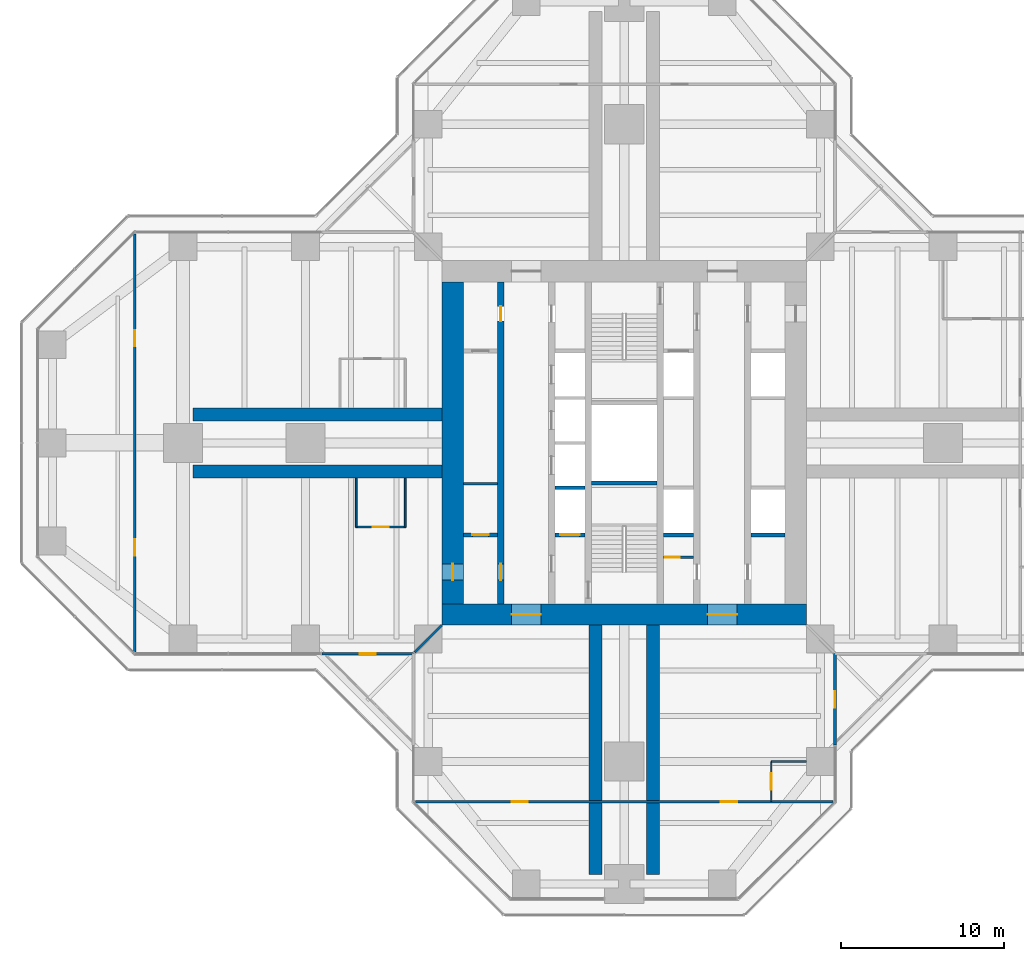
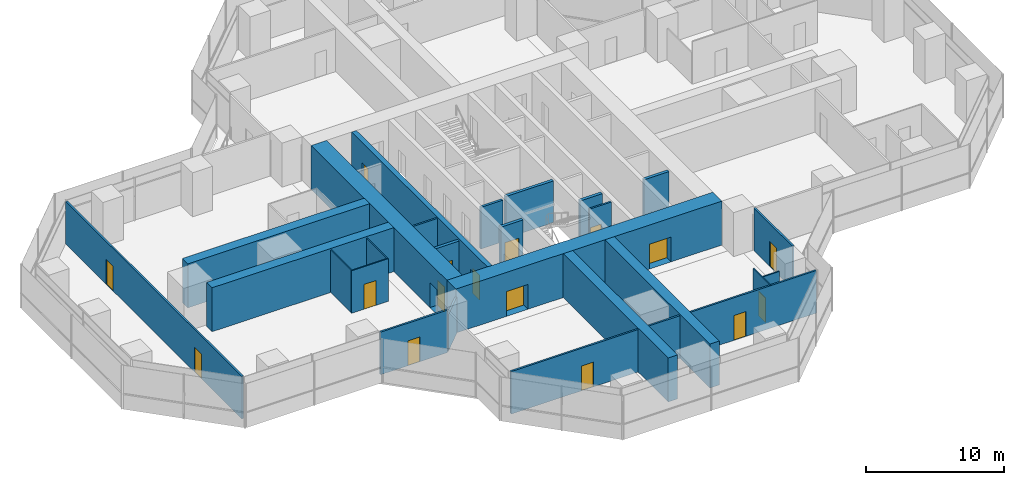
# One storey, part 15 of 19: 25 walls, 16 doors, 16 openings.
"""IFC4 building model written with IfcOpenShell, lengths in metres."""

from ifc_helpers import new_model, si_unit, direction, frame, frame_2d, origin, place, context, subcontext, project, spatial, rectangle, extrude, material, layer, layer_set, type_object, element, fill, save


model = new_model("IFC4")

# Units and contexts
model_context = context("Model", 3, precision=1e-05, world=origin(), true_north=direction((0.0, 1.0)))
body_context = subcontext(model_context, "Body", "Model", "MODEL_VIEW")
ifc_project = project(units=[si_unit("LENGTHUNIT", "METRE"), si_unit("AREAUNIT", "SQUARE_METRE"), si_unit("VOLUMEUNIT", "CUBIC_METRE"), si_unit("PLANEANGLEUNIT", "RADIAN"), si_unit("MASSUNIT", "GRAM", prefix="KILO")], contexts=[model_context])

# Site, building, storey
site_placement = place(None, origin())
site = spatial("IfcSite", under=ifc_project, at=site_placement, CompositionType="ELEMENT")
building_placement = place(site_placement, origin())
building = spatial("IfcBuilding", under=site, at=building_placement, Name="Mizan Broadcast Tower", CompositionType="ELEMENT")
storey_placement = place(building_placement, frame((0.0, 0.0, 132.0)))
storey = spatial("IfcBuildingStorey", under=building, at=storey_placement, Name="L29", CompositionType="ELEMENT", Elevation=132.0)

# Wall, openings, doors
ifc_material_1 = material(Name="Concrete C70/85", Category="concrete")
ifc_layer_1 = layer(ifc_material_1, 0.39990234375)
ifc_layer_set_1 = layer_set([ifc_layer_1], Name="Concrete C70/85")
wall_type_1 = type_object("IfcWallType", Name="CORE INTERNAL WALL 400", PredefinedType="SHEAR", material=ifc_layer_set_1)
wall_1_placement = place(storey_placement, frame((-7.550048828125, -9.85009765625, 0.0), z_axis=(0.0, 0.0, 1.0), x_axis=(0.0, 1.0, 0.0)))
wall_1 = element("IfcWall", 1, at=wall_1_placement, inside=storey, type_object=wall_type_1, Name="Core wall CORE/XW1", PredefinedType="SHEAR", context=body_context, shape_type="SweptSolid", body=[
    extrude(rectangle(XDim=19.7001953125, YDim=0.39990234375, at=frame_2d((9.85009765625, 0.0))), origin(), (0.0, 0.0, 1.0), 3.89990234375),
])
opening_1_placement = place(wall_1_placement, frame((1.449951171875, 0.0, 0.0)))
opening_1 = element("IfcOpeningElement", 2, at=opening_1_placement, cuts=wall_1, Name="Opening D10F", PredefinedType="OPENING", context=body_context, shape_type="SweptSolid", body=[
    extrude(rectangle(XDim=1.0, YDim=2.199951171875, at=frame_2d((0.5, 1.10009765625))), frame((0.0, 0.2099609375, 0.0), z_axis=(0.0, -1.0, 0.0), x_axis=(1.0, 0.0, 0.0)), (0.0, 0.0, 1.0), 0.419921875),
])
opening_2_placement = place(wall_1_placement, frame((17.300048828125, 0.0, 0.0)))
opening_2 = element("IfcOpeningElement", 3, at=opening_2_placement, cuts=wall_1, Name="Opening D09", PredefinedType="OPENING", context=body_context, shape_type="SweptSolid", body=[
    extrude(rectangle(XDim=0.89990234375, YDim=2.10009765625, at=frame_2d((0.449951171875, 1.050048828125))), frame((0.0, 0.2099609375, 0.0), z_axis=(0.0, -1.0, 0.0), x_axis=(1.0, 0.0, 0.0)), (0.0, 0.0, 1.0), 0.419921875),
])
ifc_material_2 = material(Name="Steel door leaf in steel frame", Category="steel")
door_type_1 = type_object("IfcDoorType", Name="FIRE DOOR 1000 FD90", OperationType="SINGLE_SWING_LEFT", PredefinedType="DOOR", material=ifc_material_2)
door_1_placement = place(opening_1_placement, origin())
door_1 = element("IfcDoor", 4, at=door_1_placement, inside=storey, type_object=door_type_1, Name="West core passage door", OperationType="SINGLE_SWING_LEFT", OverallHeight=2.199951171875, OverallWidth=1.0, PredefinedType="DOOR", context=body_context, shape_type="SweptSolid", body=[
    extrude(rectangle(XDim=1.0, YDim=2.199951171875, at=frame_2d((0.5, 1.10009765625))), frame((0.0, 0.02490234375, 0.0), z_axis=(0.0, -1.0, 0.0), x_axis=(1.0, 0.0, 0.0)), (0.0, 0.0, 1.0), 0.050048828125),
])
fill(opening_1, door_1)
ifc_material_3 = material(Name="Timber door leaf in aluminium frame", Category="wood")
door_type_2 = type_object("IfcDoorType", Name="TOILET DOOR 900", OperationType="SINGLE_SWING_LEFT", PredefinedType="DOOR", material=ifc_material_3)
door_2_placement = place(opening_2_placement, origin())
door_2 = element("IfcDoor", 5, at=door_2_placement, inside=storey, type_object=door_type_2, Name="Male WC door", OperationType="SINGLE_SWING_RIGHT", OverallHeight=2.10009765625, OverallWidth=0.89990234375, PredefinedType="DOOR", context=body_context, shape_type="SweptSolid", body=[
    extrude(rectangle(XDim=0.89990234375, YDim=2.10009765625, at=frame_2d((0.449951171875, 1.050048828125))), frame((0.0, 0.02490234375, 0.0), z_axis=(0.0, -1.0, 0.0), x_axis=(1.0, 0.0, 0.0)), (0.0, 0.0, 1.0), 0.050048828125),
])
fill(opening_2, door_2)

# Wall
ifc_material_4 = material(Name="Concrete blockwork", Category="masonry")
ifc_layer_2 = layer(ifc_material_4, 0.14990234375)
ifc_layer_set_2 = layer_set([ifc_layer_2], Name="Concrete blockwork")
wall_type_2 = type_object("IfcWallType", Name="CORE PARTITION 150", PredefinedType="SOLIDWALL", material=ifc_layer_set_2)
wall_2_placement = place(storey_placement, frame((-9.85009765625, -2.5, 0.0), z_axis=(0.0, 0.0, 1.0), x_axis=(1.0, 0.0, 0.0)))
element("IfcWall", 6, at=wall_2_placement, inside=storey, type_object=wall_type_2, Name="Core partition CORE/XP1", PredefinedType="SOLIDWALL", context=body_context, shape_type="SweptSolid", body=[
    extrude(rectangle(XDim=2.10009765625, YDim=0.14990234375, at=frame_2d((1.050048828125, 0.0))), origin(), (0.0, 0.0, 1.0), 3.77001953125),
])

# Wall, opening, door
wall_3_placement = place(storey_placement, frame((2.39990234375, -7.0, 0.0), z_axis=(0.0, 0.0, 1.0), x_axis=(1.0, 0.0, 0.0)))
wall_3 = element("IfcWall", 7, at=wall_3_placement, inside=storey, type_object=wall_type_2, Name="Core partition CORE/XPC", PredefinedType="SOLIDWALL", context=body_context, shape_type="SweptSolid", body=[
    extrude(rectangle(XDim=1.85009765625, YDim=0.14990234375, at=frame_2d((0.925048828125, 0.0))), origin(), (0.0, 0.0, 1.0), 3.77001953125),
])
opening_3_placement = place(wall_3_placement, frame((0.10009765625, 0.0, 0.0)))
opening_3 = element("IfcOpeningElement", 8, at=opening_3_placement, cuts=wall_3, Name="Opening D09F", PredefinedType="OPENING", context=body_context, shape_type="SweptSolid", body=[
    extrude(rectangle(XDim=0.89990234375, YDim=2.10009765625, at=frame_2d((0.449951171875, 1.050048828125))), frame((0.0, 0.0849609375, 0.0), z_axis=(0.0, -1.0, 0.0), x_axis=(1.0, 0.0, 0.0)), (0.0, 0.0, 1.0), 0.169921875),
])
ifc_material_5 = material(Name="Steel door leaf in steel frame", Category="steel")
door_type_3 = type_object("IfcDoorType", Name="CORE ROOM DOOR 900 FD90", OperationType="SINGLE_SWING_LEFT", PredefinedType="DOOR", material=ifc_material_5)
door_3_placement = place(opening_3_placement, origin())
door_3 = element("IfcDoor", 9, at=door_3_placement, inside=storey, type_object=door_type_3, Name="Waste store door", OperationType="SINGLE_SWING_LEFT", OverallHeight=2.10009765625, OverallWidth=0.89990234375, PredefinedType="DOOR", context=body_context, shape_type="SweptSolid", body=[
    extrude(rectangle(XDim=0.89990234375, YDim=2.10009765625, at=frame_2d((0.449951171875, 1.050048828125))), frame((0.0, 0.02490234375, 0.0), z_axis=(0.0, -1.0, 0.0), x_axis=(1.0, 0.0, 0.0)), (0.0, 0.0, 1.0), 0.050048828125),
])
fill(opening_3, door_3)

# Wall, openings, doors
ifc_material_6 = material(Name="Concrete C70/85", Category="concrete")
ifc_layer_3 = layer(ifc_material_6, 1.300048828125)
ifc_layer_set_3 = layer_set([ifc_layer_3], Name="Concrete C70/85")
wall_type_3 = type_object("IfcWallType", Name="CORE WALL 1300", PredefinedType="SHEAR", material=ifc_layer_set_3)
wall_4_placement = place(storey_placement, frame((11.14990234375, -10.5, 0.0), z_axis=(0.0, 0.0, 1.0), x_axis=(-1.0, 0.0, 0.0)))
wall_4 = element("IfcWall", 10, at=wall_4_placement, inside=storey, type_object=wall_type_3, Name="Core wall S L29", PredefinedType="SHEAR", context=body_context, shape_type="SweptSolid", body=[
    extrude(rectangle(XDim=22.2998046875, YDim=1.300048828125, at=frame_2d((11.14990234375, 0.0))), origin(), (0.0, 0.0, 1.0), 3.89990234375),
])
opening_4_placement = place(wall_4_placement, frame((16.25, 0.0, 0.0)))
opening_4 = element("IfcOpeningElement", 11, at=opening_4_placement, cuts=wall_4, Name="Opening D18F", PredefinedType="OPENING", context=body_context, shape_type="SweptSolid", body=[
    extrude(rectangle(XDim=1.800048828125, YDim=2.199951171875, at=frame_2d((0.89990234375, 1.10009765625))), frame((0.0, 0.659912109375, 0.0), z_axis=(0.0, -1.0, 0.0), x_axis=(1.0, 0.0, 0.0)), (0.0, 0.0, 1.0), 1.320068359375),
])
opening_5_placement = place(wall_4_placement, frame((4.25, 0.0, 0.0)))
opening_5 = element("IfcOpeningElement", 12, at=opening_5_placement, cuts=wall_4, Name="Opening D18F", PredefinedType="OPENING", context=body_context, shape_type="SweptSolid", body=[
    extrude(rectangle(XDim=1.800048828125, YDim=2.199951171875, at=frame_2d((0.89990234375, 1.10009765625))), frame((0.0, 0.659912109375, 0.0), z_axis=(0.0, -1.0, 0.0), x_axis=(1.0, 0.0, 0.0)), (0.0, 0.0, 1.0), 1.320068359375),
])
ifc_material_7 = material(Name="Steel door leaf in steel frame", Category="steel")
door_type_4 = type_object("IfcDoorType", Name="LOBBY DOUBLE DOOR 1800 FD90", OperationType="DOUBLE_DOOR_DOUBLE_SWING", PredefinedType="DOOR", material=ifc_material_7)
door_4_placement = place(opening_4_placement, origin())
door_4 = element("IfcDoor", 13, at=door_4_placement, inside=storey, type_object=door_type_4, Name="West lift lobby south door", OperationType="DOUBLE_DOOR_DOUBLE_SWING", OverallHeight=2.199951171875, OverallWidth=1.800048828125, PredefinedType="DOOR", context=body_context, shape_type="SweptSolid", body=[
    extrude(rectangle(XDim=1.800048828125, YDim=2.199951171875, at=frame_2d((0.89990234375, 1.10009765625))), frame((0.0, 0.02490234375, 0.0), z_axis=(0.0, -1.0, 0.0), x_axis=(1.0, 0.0, 0.0)), (0.0, 0.0, 1.0), 0.050048828125),
])
fill(opening_4, door_4)
door_5_placement = place(opening_5_placement, origin())
door_5 = element("IfcDoor", 14, at=door_5_placement, inside=storey, type_object=door_type_4, Name="East lift lobby south door", OperationType="DOUBLE_DOOR_DOUBLE_SWING", OverallHeight=2.199951171875, OverallWidth=1.800048828125, PredefinedType="DOOR", context=body_context, shape_type="SweptSolid", body=[
    extrude(rectangle(XDim=1.800048828125, YDim=2.199951171875, at=frame_2d((0.89990234375, 1.10009765625))), frame((0.0, 0.02490234375, 0.0), z_axis=(0.0, -1.0, 0.0), x_axis=(1.0, 0.0, 0.0)), (0.0, 0.0, 1.0), 0.050048828125),
])
fill(opening_5, door_5)

# Wall, opening, door
wall_5_placement = place(storey_placement, frame((-10.5, 9.85009765625, 0.0), z_axis=(0.0, 0.0, 1.0), x_axis=(0.0, -1.0, 0.0)))
wall_5 = element("IfcWall", 15, at=wall_5_placement, inside=storey, type_object=wall_type_3, Name="Core wall W L29", PredefinedType="SHEAR", context=body_context, shape_type="SweptSolid", body=[
    extrude(rectangle(XDim=19.7001953125, YDim=1.300048828125, at=frame_2d((9.85009765625, 0.0))), origin(), (0.0, 0.0, 1.0), 3.89990234375),
])
opening_6_placement = place(wall_5_placement, frame((17.25, 0.0, 0.0)))
opening_6 = element("IfcOpeningElement", 16, at=opening_6_placement, cuts=wall_5, Name="Opening D10F", PredefinedType="OPENING", context=body_context, shape_type="SweptSolid", body=[
    extrude(rectangle(XDim=1.0, YDim=2.199951171875, at=frame_2d((0.5, 1.10009765625))), frame((0.0, 0.659912109375, 0.0), z_axis=(0.0, -1.0, 0.0), x_axis=(1.0, 0.0, 0.0)), (0.0, 0.0, 1.0), 1.320068359375),
])
door_6_placement = place(opening_6_placement, origin())
door_6 = element("IfcDoor", 17, at=door_6_placement, inside=storey, type_object=door_type_1, Name="West core passage arm door", OperationType="SINGLE_SWING_RIGHT", OverallHeight=2.199951171875, OverallWidth=1.0, PredefinedType="DOOR", context=body_context, shape_type="SweptSolid", body=[
    extrude(rectangle(XDim=1.0, YDim=2.199951171875, at=frame_2d((0.5, 1.10009765625))), frame((0.0, 0.02490234375, 0.0), z_axis=(0.0, -1.0, 0.0), x_axis=(1.0, 0.0, 0.0)), (0.0, 0.0, 1.0), 0.050048828125),
])
fill(opening_6, door_6)

ifc_material_8 = material(Name="Aluminium framed glazed screen", Category="aluminium")
ifc_layer_4 = layer(ifc_material_8, 0.159912109375)
ifc_layer_set_4 = layer_set([ifc_layer_4], Name="Aluminium framed glazed screen")
wall_type_4 = type_object("IfcWallType", Name="GLAZED SCREEN WALL 160", PredefinedType="SOLIDWALL", material=ifc_layer_set_4)
wall_6_placement = place(storey_placement, frame((-18.5, -12.89990234375, 0.0), z_axis=(0.0, 0.0, 1.0), x_axis=(1.0, 0.0, 0.0)))
wall_6 = element("IfcWall", 18, at=wall_6_placement, inside=storey, type_object=wall_type_4, Name="Winter garden screen L29 W", PredefinedType="SOLIDWALL", context=body_context, shape_type="SweptSolid", body=[
    extrude(rectangle(XDim=5.60009765625, YDim=0.159912109375, at=frame_2d((2.800048828125, 0.0))), origin(), (0.0, 0.0, 1.0), 3.77001953125),
])
opening_7_placement = place(wall_6_placement, frame((2.300048828125, 0.0, 0.0)))
opening_7 = element("IfcOpeningElement", 19, at=opening_7_placement, cuts=wall_6, Name="Opening WGD", PredefinedType="OPENING", context=body_context, shape_type="SweptSolid", body=[
    extrude(rectangle(XDim=1.0, YDim=2.199951171875, at=frame_2d((0.5, 1.10009765625))), frame((0.0, 0.08984375, 0.0), z_axis=(0.0, -1.0, 0.0), x_axis=(1.0, 0.0, 0.0)), (0.0, 0.0, 1.0), 0.179931640625),
])
ifc_material_9 = material(Name="Aluminium framed glazed door", Category="aluminium")
door_type_5 = type_object("IfcDoorType", Name="WINTER GARDEN DOOR 1000 GLAZED", OperationType="SINGLE_SWING_LEFT", PredefinedType="DOOR", material=ifc_material_9)
door_7_placement = place(opening_7_placement, origin())
door_7 = element("IfcDoor", 20, at=door_7_placement, inside=storey, type_object=door_type_5, Name="Winter garden door L29 W", OperationType="SINGLE_SWING_RIGHT", OverallHeight=2.199951171875, OverallWidth=1.0, PredefinedType="DOOR", context=body_context, shape_type="SweptSolid", body=[
    extrude(rectangle(XDim=1.0, YDim=2.199951171875, at=frame_2d((0.5, 1.10009765625))), frame((0.0, 0.02490234375, 0.0), z_axis=(0.0, -1.0, 0.0), x_axis=(1.0, 0.0, 0.0)), (0.0, 0.0, 1.0), 0.050048828125),
])
fill(opening_7, door_7)

wall_7_placement = place(storey_placement, frame((12.89990234375, -18.5, 0.0), z_axis=(0.0, 0.0, 1.0), x_axis=(0.0, 1.0, 0.0)))
wall_7 = element("IfcWall", 21, at=wall_7_placement, inside=storey, type_object=wall_type_4, Name="Winter garden screen L29 S", PredefinedType="SOLIDWALL", context=body_context, shape_type="SweptSolid", body=[
    extrude(rectangle(XDim=5.60009765625, YDim=0.159912109375, at=frame_2d((2.800048828125, 0.0))), origin(), (0.0, 0.0, 1.0), 3.77001953125),
])
opening_8_placement = place(wall_7_placement, frame((2.300048828125, 0.0, 0.0)))
opening_8 = element("IfcOpeningElement", 22, at=opening_8_placement, cuts=wall_7, Name="Opening WGD", PredefinedType="OPENING", context=body_context, shape_type="SweptSolid", body=[
    extrude(rectangle(XDim=1.0, YDim=2.199951171875, at=frame_2d((0.5, 1.10009765625))), frame((0.0, 0.08984375, 0.0), z_axis=(0.0, -1.0, 0.0), x_axis=(1.0, 0.0, 0.0)), (0.0, 0.0, 1.0), 0.179931640625),
])
door_8_placement = place(opening_8_placement, origin())
door_8 = element("IfcDoor", 23, at=door_8_placement, inside=storey, type_object=door_type_5, Name="Winter garden door L29 S", OperationType="SINGLE_SWING_RIGHT", OverallHeight=2.199951171875, OverallWidth=1.0, PredefinedType="DOOR", context=body_context, shape_type="SweptSolid", body=[
    extrude(rectangle(XDim=1.0, YDim=2.199951171875, at=frame_2d((0.5, 1.10009765625))), frame((0.0, 0.02490234375, 0.0), z_axis=(0.0, -1.0, 0.0), x_axis=(1.0, 0.0, 0.0)), (0.0, 0.0, 1.0), 0.050048828125),
])
fill(opening_8, door_8)

# Wall
ifc_material_10 = material(Name="Concrete blockwork", Category="masonry")
ifc_layer_5 = layer(ifc_material_10, 0.199951171875)
ifc_layer_set_5 = layer_set([ifc_layer_5], Name="Concrete blockwork")
wall_type_5 = type_object("IfcWallType", Name="LIFT SHAFT WALL 200", PredefinedType="SOLIDWALL", material=ifc_layer_set_5)
wall_8_placement = place(storey_placement, frame((-4.25, -2.75, 0.0), z_axis=(0.0, 0.0, 1.0), x_axis=(1.0, 0.0, 0.0)))
element("IfcWall", 24, at=wall_8_placement, inside=storey, type_object=wall_type_5, Name="Lift shaft wall CORE/SW2-1", PredefinedType="SOLIDWALL", context=body_context, shape_type="SweptSolid", body=[
    extrude(rectangle(XDim=1.85009765625, YDim=0.199951171875, at=frame_2d((0.925048828125, 0.0))), origin(), (0.0, 0.0, 1.0), 3.699951171875),
])

# Wall, opening, door
ifc_material_11 = material(Name="Concrete blockwork", Category="masonry")
ifc_layer_6 = layer(ifc_material_11, 0.25)
ifc_layer_set_6 = layer_set([ifc_layer_6], Name="Concrete blockwork")
wall_type_6 = type_object("IfcWallType", Name="LOBBY ENCLOSURE WALL 250", PredefinedType="SOLIDWALL", material=ifc_layer_set_6)
wall_9_placement = place(storey_placement, frame((-9.85009765625, -5.625, 0.0), z_axis=(0.0, 0.0, 1.0), x_axis=(1.0, 0.0, 0.0)))
wall_9 = element("IfcWall", 25, at=wall_9_placement, inside=storey, type_object=wall_type_6, Name="Lobby enclosure wall CORE/BW1S", PredefinedType="SOLIDWALL", context=body_context, shape_type="SweptSolid", body=[
    extrude(rectangle(XDim=2.10009765625, YDim=0.25, at=frame_2d((1.050048828125, 0.0))), origin(), (0.0, 0.0, 1.0), 3.699951171875),
])
opening_9_placement = place(wall_9_placement, frame((0.550048828125, 0.0, 0.0)))
opening_9 = element("IfcOpeningElement", 26, at=opening_9_placement, cuts=wall_9, Name="Opening D10F", PredefinedType="OPENING", context=body_context, shape_type="SweptSolid", body=[
    extrude(rectangle(XDim=1.0, YDim=2.199951171875, at=frame_2d((0.5, 1.10009765625))), frame((0.0, 0.135009765625, 0.0), z_axis=(0.0, -1.0, 0.0), x_axis=(1.0, 0.0, 0.0)), (0.0, 0.0, 1.0), 0.27001953125),
])
door_9_placement = place(opening_9_placement, origin())
door_9 = element("IfcDoor", 27, at=door_9_placement, inside=storey, type_object=door_type_1, Name="IT room door", OperationType="SINGLE_SWING_RIGHT", OverallHeight=2.199951171875, OverallWidth=1.0, PredefinedType="DOOR", context=body_context, shape_type="SweptSolid", body=[
    extrude(rectangle(XDim=1.0, YDim=2.199951171875, at=frame_2d((0.5, 1.10009765625))), frame((0.0, 0.02490234375, 0.0), z_axis=(0.0, -1.0, 0.0), x_axis=(1.0, 0.0, 0.0)), (0.0, 0.0, 1.0), 0.050048828125),
])
fill(opening_9, door_9)

wall_10_placement = place(storey_placement, frame((-4.25, -5.625, 0.0), z_axis=(0.0, 0.0, 1.0), x_axis=(1.0, 0.0, 0.0)))
wall_10 = element("IfcWall", 28, at=wall_10_placement, inside=storey, type_object=wall_type_6, Name="Lobby enclosure wall CORE/BW2S", PredefinedType="SOLIDWALL", context=body_context, shape_type="SweptSolid", body=[
    extrude(rectangle(XDim=1.85009765625, YDim=0.25, at=frame_2d((0.925048828125, 0.0))), origin(), (0.0, 0.0, 1.0), 3.699951171875),
])
opening_10_placement = place(wall_10_placement, frame((0.324951171875, 0.0, 0.0)))
opening_10 = element("IfcOpeningElement", 29, at=opening_10_placement, cuts=wall_10, Name="Opening LDF", PredefinedType="OPENING", context=body_context, shape_type="SweptSolid", body=[
    extrude(rectangle(XDim=1.199951171875, YDim=2.199951171875, at=frame_2d((0.60009765625, 1.10009765625))), frame((0.0, 0.135009765625, 0.0), z_axis=(0.0, -1.0, 0.0), x_axis=(1.0, 0.0, 0.0)), (0.0, 0.0, 1.0), 0.27001953125),
])
ifc_material_12 = material(Name="Steel door leaf in steel frame", Category="steel")
door_type_6 = type_object("IfcDoorType", Name="FIREFIGHTING LIFT LANDING DOOR 1200", OperationType="SLIDING_TO_LEFT", PredefinedType="DOOR", material=ifc_material_12)
door_10_placement = place(opening_10_placement, origin())
door_10 = element("IfcDoor", 30, at=door_10_placement, inside=storey, type_object=door_type_6, Name="Landing door FF1", OperationType="SLIDING_TO_LEFT", OverallHeight=2.199951171875, OverallWidth=1.199951171875, PredefinedType="DOOR", context=body_context, shape_type="SweptSolid", body=[
    extrude(rectangle(XDim=1.199951171875, YDim=2.199951171875, at=frame_2d((0.60009765625, 1.10009765625))), frame((0.0, 0.02490234375, 0.0), z_axis=(0.0, -1.0, 0.0), x_axis=(1.0, 0.0, 0.0)), (0.0, 0.0, 1.0), 0.050048828125),
])
fill(opening_10, door_10)

# Walls
wall_11_placement = place(storey_placement, frame((2.39990234375, -5.625, 0.0), z_axis=(0.0, 0.0, 1.0), x_axis=(1.0, 0.0, 0.0)))
element("IfcWall", 31, at=wall_11_placement, inside=storey, type_object=wall_type_6, Name="Lobby enclosure wall CORE/BE2S", PredefinedType="SOLIDWALL", context=body_context, shape_type="SweptSolid", body=[
    extrude(rectangle(XDim=1.85009765625, YDim=0.25, at=frame_2d((0.925048828125, 0.0))), origin(), (0.0, 0.0, 1.0), 3.699951171875),
])
wall_12_placement = place(storey_placement, frame((7.75, -5.625, 0.0), z_axis=(0.0, 0.0, 1.0), x_axis=(1.0, 0.0, 0.0)))
element("IfcWall", 32, at=wall_12_placement, inside=storey, type_object=wall_type_6, Name="Lobby enclosure wall CORE/BE1S", PredefinedType="SOLIDWALL", context=body_context, shape_type="SweptSolid", body=[
    extrude(rectangle(XDim=2.10009765625, YDim=0.25, at=frame_2d((1.050048828125, 0.0))), origin(), (0.0, 0.0, 1.0), 3.699951171875),
])
wall_13_placement = place(storey_placement, frame((-2.0, -2.449951171875, 0.0), z_axis=(0.0, 0.0, 1.0), x_axis=(1.0, 0.0, 0.0)))
element("IfcWall", 33, at=wall_13_placement, inside=storey, type_object=wall_type_6, Name="Lobby enclosure wall CORE/STA", PredefinedType="SOLIDWALL", context=body_context, shape_type="SweptSolid", body=[
    extrude(rectangle(XDim=4.0, YDim=0.25, at=frame_2d((2.0, 0.0))), origin(), (0.0, 0.0, 1.0), 3.699951171875),
])

# Wall, openings, doors
ifc_material_13 = material(Name="Gypsum board on steel studs", Category="steel")
ifc_layer_7 = layer(ifc_material_13, 0.14990234375)
ifc_layer_set_7 = layer_set([ifc_layer_7], Name="Gypsum board on steel studs")
wall_type_7 = type_object("IfcWallType", Name="PARTITION 150", PredefinedType="PARTITIONING", material=ifc_layer_set_7)
wall_14_placement = place(storey_placement, frame((-29.958984375, 12.786376953125, 0.0), z_axis=(0.0, 0.0, 1.0), x_axis=(0.0, -1.0, 0.0)))
wall_14 = element("IfcWall", 34, at=wall_14_placement, inside=storey, type_object=wall_type_7, Name="Partition PT/WX1", PredefinedType="PARTITIONING", context=body_context, shape_type="SweptSolid", body=[
    extrude(rectangle(XDim=25.57275390625, YDim=0.14990234375, at=frame_2d((12.786376953125, 0.0))), origin(), (0.0, 0.0, 1.0), 3.77001953125),
])
opening_11_placement = place(wall_14_placement, frame((18.6865234375, 0.0, 0.0)))
opening_11 = element("IfcOpeningElement", 35, at=opening_11_placement, cuts=wall_14, Name="Opening D10", PredefinedType="OPENING", context=body_context, shape_type="SweptSolid", body=[
    extrude(rectangle(XDim=1.0, YDim=2.199951171875, at=frame_2d((0.5, 1.10009765625))), frame((0.0, 0.0849609375, 0.0), z_axis=(0.0, -1.0, 0.0), x_axis=(1.0, 0.0, 0.0)), (0.0, 0.0, 1.0), 0.169921875),
])
opening_12_placement = place(wall_14_placement, frame((5.886474609375, 0.0, 0.0)))
opening_12 = element("IfcOpeningElement", 36, at=opening_12_placement, cuts=wall_14, Name="Opening D10", PredefinedType="OPENING", context=body_context, shape_type="SweptSolid", body=[
    extrude(rectangle(XDim=1.0, YDim=2.199951171875, at=frame_2d((0.5, 1.10009765625))), frame((0.0, 0.0849609375, 0.0), z_axis=(0.0, -1.0, 0.0), x_axis=(1.0, 0.0, 0.0)), (0.0, 0.0, 1.0), 0.169921875),
])
ifc_material_14 = material(Name="Timber door leaf in aluminium frame", Category="wood")
door_type_7 = type_object("IfcDoorType", Name="ROOM DOOR 1000", OperationType="SINGLE_SWING_LEFT", PredefinedType="DOOR", material=ifc_material_14)
door_11_placement = place(opening_11_placement, origin())
door_11 = element("IfcDoor", 37, at=door_11_placement, inside=storey, type_object=door_type_7, Name="Meeting room door", OperationType="SINGLE_SWING_RIGHT", OverallHeight=2.199951171875, OverallWidth=1.0, PredefinedType="DOOR", context=body_context, shape_type="SweptSolid", body=[
    extrude(rectangle(XDim=1.0, YDim=2.199951171875, at=frame_2d((0.5, 1.10009765625))), frame((0.0, 0.02490234375, 0.0), z_axis=(0.0, -1.0, 0.0), x_axis=(1.0, 0.0, 0.0)), (0.0, 0.0, 1.0), 0.050048828125),
])
fill(opening_11, door_11)
door_12_placement = place(opening_12_placement, origin())
door_12 = element("IfcDoor", 38, at=door_12_placement, inside=storey, type_object=door_type_7, Name="Meeting room door", OperationType="SINGLE_SWING_LEFT", OverallHeight=2.199951171875, OverallWidth=1.0, PredefinedType="DOOR", context=body_context, shape_type="SweptSolid", body=[
    extrude(rectangle(XDim=1.0, YDim=2.199951171875, at=frame_2d((0.5, 1.10009765625))), frame((0.0, 0.02490234375, 0.0), z_axis=(0.0, -1.0, 0.0), x_axis=(1.0, 0.0, 0.0)), (0.0, 0.0, 1.0), 0.050048828125),
])
fill(opening_12, door_12)

wall_15_placement = place(storey_placement, frame((-12.786376953125, -21.958984375, 0.0), z_axis=(0.0, 0.0, 1.0), x_axis=(1.0, 0.0, 0.0)))
wall_15 = element("IfcWall", 39, at=wall_15_placement, inside=storey, type_object=wall_type_7, Name="Partition PT/SX1", PredefinedType="PARTITIONING", context=body_context, shape_type="SweptSolid", body=[
    extrude(rectangle(XDim=25.57275390625, YDim=0.14990234375, at=frame_2d((12.786376953125, 0.0))), origin(), (0.0, 0.0, 1.0), 3.77001953125),
])
opening_13_placement = place(wall_15_placement, frame((18.6865234375, 0.0, 0.0)))
opening_13 = element("IfcOpeningElement", 40, at=opening_13_placement, cuts=wall_15, Name="Opening D10", PredefinedType="OPENING", context=body_context, shape_type="SweptSolid", body=[
    extrude(rectangle(XDim=1.0, YDim=2.199951171875, at=frame_2d((0.5, 1.10009765625))), frame((0.0, 0.0849609375, 0.0), z_axis=(0.0, -1.0, 0.0), x_axis=(1.0, 0.0, 0.0)), (0.0, 0.0, 1.0), 0.169921875),
])
opening_14_placement = place(wall_15_placement, frame((5.886474609375, 0.0, 0.0)))
opening_14 = element("IfcOpeningElement", 41, at=opening_14_placement, cuts=wall_15, Name="Opening D10", PredefinedType="OPENING", context=body_context, shape_type="SweptSolid", body=[
    extrude(rectangle(XDim=1.0, YDim=2.199951171875, at=frame_2d((0.5, 1.10009765625))), frame((0.0, 0.0849609375, 0.0), z_axis=(0.0, -1.0, 0.0), x_axis=(1.0, 0.0, 0.0)), (0.0, 0.0, 1.0), 0.169921875),
])
door_13_placement = place(opening_13_placement, origin())
door_13 = element("IfcDoor", 42, at=door_13_placement, inside=storey, type_object=door_type_7, Name="Meeting room door", OperationType="SINGLE_SWING_RIGHT", OverallHeight=2.199951171875, OverallWidth=1.0, PredefinedType="DOOR", context=body_context, shape_type="SweptSolid", body=[
    extrude(rectangle(XDim=1.0, YDim=2.199951171875, at=frame_2d((0.5, 1.10009765625))), frame((0.0, 0.02490234375, 0.0), z_axis=(0.0, -1.0, 0.0), x_axis=(1.0, 0.0, 0.0)), (0.0, 0.0, 1.0), 0.050048828125),
])
fill(opening_13, door_13)
door_14_placement = place(opening_14_placement, origin())
door_14 = element("IfcDoor", 43, at=door_14_placement, inside=storey, type_object=door_type_7, Name="Meeting room door", OperationType="SINGLE_SWING_LEFT", OverallHeight=2.199951171875, OverallWidth=1.0, PredefinedType="DOOR", context=body_context, shape_type="SweptSolid", body=[
    extrude(rectangle(XDim=1.0, YDim=2.199951171875, at=frame_2d((0.5, 1.10009765625))), frame((0.0, 0.02490234375, 0.0), z_axis=(0.0, -1.0, 0.0), x_axis=(1.0, 0.0, 0.0)), (0.0, 0.0, 1.0), 0.050048828125),
])
fill(opening_14, door_14)

# Walls
wall_16_placement = place(storey_placement, frame((-11.14990234375, -11.14990234375, 0.0), z_axis=(0.0, 0.0, 1.0), x_axis=(-0.707106781187, -0.707106781187, 0.0)))
element("IfcWall", 44, at=wall_16_placement, inside=storey, type_object=wall_type_7, Name="Partition PT/DGWS", PredefinedType="PARTITIONING", context=body_context, shape_type="SweptSolid", body=[
    extrude(rectangle(XDim=2.362060546875, YDim=0.14990234375, at=frame_2d((1.18115234375, 0.0))), origin(), (0.0, 0.0, 1.0), 3.219970703125),
])
ifc_material_15 = material(Name="Glazed aluminium partition on aluminium track", Category="aluminium")
ifc_layer_8 = layer(ifc_material_15, 0.10009765625)
ifc_layer_set_8 = layer_set([ifc_layer_8], Name="Glazed aluminium partition on aluminium track")
wall_type_8 = type_object("IfcWallType", Name="PARTITION GLAZED OFFICE FRONT 100", PredefinedType="PARTITIONING", material=ifc_layer_set_8)
for number, where, z_axis, x_axis, name in (
    (45, (-13.39990234375, -2.14990234375, 0.0), (0.0, 0.0, 1.0), (0.0, -1.0, 0.0), "Glazed office front PT/WKP0a"),
    (46, (-16.39990234375, -2.14990234375, 0.0), (0.0, 0.0, 1.0), (0.0, -1.0, 0.0), "Glazed office front PT/WKP0b"),
):
    element("IfcWall", number, at=place(storey_placement, frame(where, z_axis=z_axis, x_axis=x_axis)), inside=storey, type_object=wall_type_8, Name=name, PredefinedType="PARTITIONING", context=body_context, shape_type="SweptSolid", body=[
        extrude(rectangle(XDim=3.0, YDim=0.10009765625, at=frame_2d((1.5, 0.0))), origin(), (0.0, 0.0, 1.0), 3.77001953125),
    ])

# Wall, opening, door
wall_17_placement = place(storey_placement, frame((-13.35009765625, -5.14990234375, 0.0), z_axis=(0.0, 0.0, 1.0), x_axis=(-1.0, 0.0, 0.0)))
wall_17 = element("IfcWall", 47, at=wall_17_placement, inside=storey, type_object=wall_type_8, Name="Glazed office front PT/WKP0f", PredefinedType="PARTITIONING", context=body_context, shape_type="SweptSolid", body=[
    extrude(rectangle(XDim=3.099853515625, YDim=0.10009765625, at=frame_2d((1.5498046875, 0.0))), origin(), (0.0, 0.0, 1.0), 3.77001953125),
])
opening_15_placement = place(wall_17_placement, frame((1.050048828125, 0.0, 0.0)))
opening_15 = element("IfcOpeningElement", 48, at=opening_15_placement, cuts=wall_17, Name="Opening D10O", PredefinedType="OPENING", context=body_context, shape_type="SweptSolid", body=[
    extrude(rectangle(XDim=1.0, YDim=2.199951171875, at=frame_2d((0.5, 1.10009765625))), frame((0.0, 0.06005859375, 0.0), z_axis=(0.0, -1.0, 0.0), x_axis=(1.0, 0.0, 0.0)), (0.0, 0.0, 1.0), 0.1201171875),
])
ifc_material_16 = material(Name="Timber door leaf in aluminium frame", Category="wood")
door_type_8 = type_object("IfcDoorType", Name="OFFICE DOOR 1000 GLAZED", OperationType="SINGLE_SWING_LEFT", PredefinedType="DOOR", material=ifc_material_16)
door_15_placement = place(opening_15_placement, origin())
door_15 = element("IfcDoor", 49, at=door_15_placement, inside=storey, type_object=door_type_8, Name="Pantry door", OperationType="SINGLE_SWING_LEFT", OverallHeight=2.199951171875, OverallWidth=1.0, PredefinedType="DOOR", context=body_context, shape_type="SweptSolid", body=[
    extrude(rectangle(XDim=1.0, YDim=2.199951171875, at=frame_2d((0.5, 1.10009765625))), frame((0.0, 0.02490234375, 0.0), z_axis=(0.0, -1.0, 0.0), x_axis=(1.0, 0.0, 0.0)), (0.0, 0.0, 1.0), 0.050048828125),
])
fill(opening_15, door_15)

wall_18_placement = place(storey_placement, frame((9.0, -19.5, 0.0), z_axis=(0.0, 0.0, 1.0), x_axis=(0.0, -1.0, 0.0)))
wall_18 = element("IfcWall", 50, at=wall_18_placement, inside=storey, type_object=wall_type_8, Name="Glazed office front PT/SCP0", PredefinedType="PARTITIONING", context=body_context, shape_type="SweptSolid", body=[
    extrude(rectangle(XDim=2.458984375, YDim=0.10009765625, at=frame_2d((1.2294921875, 0.0))), origin(), (0.0, 0.0, 1.0), 3.77001953125),
])
opening_16_placement = place(wall_18_placement, frame((0.7294921875, 0.0, 0.0)))
opening_16 = element("IfcOpeningElement", 51, at=opening_16_placement, cuts=wall_18, Name="Opening D10O", PredefinedType="OPENING", context=body_context, shape_type="SweptSolid", body=[
    extrude(rectangle(XDim=1.0, YDim=2.199951171875, at=frame_2d((0.5, 1.10009765625))), frame((0.0, 0.06005859375, 0.0), z_axis=(0.0, -1.0, 0.0), x_axis=(1.0, 0.0, 0.0)), (0.0, 0.0, 1.0), 0.1201171875),
])
door_16_placement = place(opening_16_placement, origin())
door_16 = element("IfcDoor", 52, at=door_16_placement, inside=storey, type_object=door_type_8, Name="Quiet room door", OperationType="SINGLE_SWING_LEFT", OverallHeight=2.199951171875, OverallWidth=1.0, PredefinedType="DOOR", context=body_context, shape_type="SweptSolid", body=[
    extrude(rectangle(XDim=1.0, YDim=2.199951171875, at=frame_2d((0.5, 1.10009765625))), frame((0.0, 0.02490234375, 0.0), z_axis=(0.0, -1.0, 0.0), x_axis=(1.0, 0.0, 0.0)), (0.0, 0.0, 1.0), 0.050048828125),
])
fill(opening_16, door_16)

# Walls
wall_19_placement = place(storey_placement, frame((9.0, -19.5, 0.0), z_axis=(0.0, 0.0, 1.0), x_axis=(1.0, 0.0, 0.0)))
element("IfcWall", 53, at=wall_19_placement, inside=storey, type_object=wall_type_8, Name="Glazed office front PT/SQP1950", PredefinedType="PARTITIONING", context=body_context, shape_type="SweptSolid", body=[
    extrude(rectangle(XDim=2.14990234375, YDim=0.10009765625, at=frame_2d((1.074951171875, 0.0))), origin(), (0.0, 0.0, 1.0), 2.77001953125),
])
ifc_material_17 = material(Name="Concrete C70/85", Category="concrete")
ifc_layer_9 = layer(ifc_material_17, 0.800048828125)
ifc_layer_set_9 = layer_set([ifc_layer_9], Name="Concrete C70/85")
wall_type_9 = type_object("IfcWallType", Name="SPINE WALL 800", PredefinedType="SHEAR", material=ifc_layer_set_9)
for number, where, z_axis, x_axis, name in (
    (54, (-11.14990234375, 1.75, 0.0), (0.0, 0.0, 1.0), (-1.0, 0.0, 0.0), "Spine wall WR L29"),
    (55, (-11.14990234375, -1.75, 0.0), (0.0, 0.0, 1.0), (-1.0, 0.0, 0.0), "Spine wall WL L29"),
    (56, (-1.75, -11.14990234375, 0.0), (0.0, 0.0, 1.0), (0.0, -1.0, 0.0), "Spine wall SR L29"),
    (57, (1.75, -11.14990234375, 0.0), (0.0, 0.0, 1.0), (0.0, -1.0, 0.0), "Spine wall SL L29"),
):
    element("IfcWall", number, at=place(storey_placement, frame(where, z_axis=z_axis, x_axis=x_axis)), inside=storey, type_object=wall_type_9, Name=name, PredefinedType="SHEAR", context=body_context, shape_type="SweptSolid", body=[
        extrude(rectangle(XDim=15.25, YDim=0.800048828125, at=frame_2d((7.625, 0.0))), origin(), (0.0, 0.0, 1.0), 3.89990234375),
    ])

save(model, "model.ifc")
